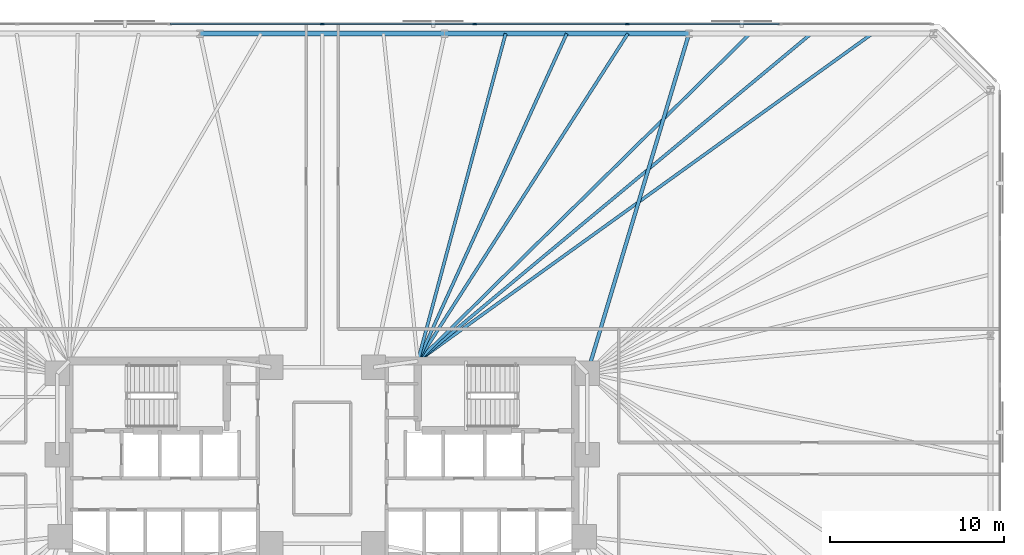
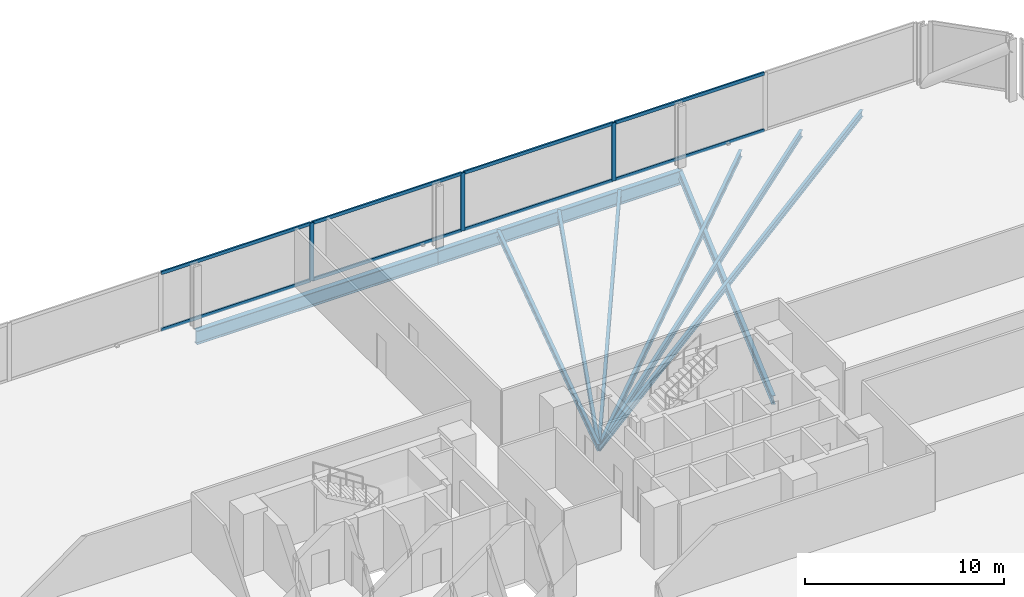
# One storey, part 9 of 16: 11 members, 9 beams, 1 element without a shape of its own.
"""IFC4 building model written with IfcOpenShell, lengths in metres."""

from ifc_helpers import new_model, si_unit, direction, frame, origin, origin_2d, place, context, subcontext, project, spatial, rectangle, i_section, extrude, material, material_profile, profile_set, type_object, element, aggregate, save


model = new_model("IFC4")

# Units and contexts
model_context = context("Model", 3, precision=1e-05, world=origin(), true_north=direction((0.0, 1.0)))
body_context = subcontext(model_context, "Body", "Model", "MODEL_VIEW")
ifc_project = project(units=[si_unit("LENGTHUNIT", "METRE"), si_unit("AREAUNIT", "SQUARE_METRE"), si_unit("VOLUMEUNIT", "CUBIC_METRE"), si_unit("PLANEANGLEUNIT", "RADIAN"), si_unit("MASSUNIT", "GRAM", prefix="KILO")], contexts=[model_context])

# Site, building, storey
site_placement = place(None, origin())
site = spatial("IfcSite", under=ifc_project, at=site_placement, CompositionType="ELEMENT")
building_placement = place(site_placement, origin())
building = spatial("IfcBuilding", under=site, at=building_placement, Name="Menara Jurai Vektor", CompositionType="ELEMENT")
storey_placement = place(building_placement, frame((0.0, 0.0, 40.800048828125)))
storey = spatial("IfcBuildingStorey", under=building, at=storey_placement, Name="L09", CompositionType="ELEMENT", Elevation=40.800048828125)

# Curtain wall, members
ifc_material_1 = material(Name="Anodised Pale Aluminium & Low-E Double Glazing", Category="aluminium")
curtain_wall_type = type_object("IfcCurtainWallType", Name="CW-BLK1", PredefinedType="NOTDEFINED", material=ifc_material_1)
curtain_wall_placement = place(storey_placement, origin())
curtain_wall = element("IfcCurtainWall", 1, at=curtain_wall_placement, inside=storey, type_object=curtain_wall_type, Name="Unitised Curtain Wall L09 F05", PredefinedType="NOTDEFINED")
ifc_material_2 = material(Name="Anodised Pale Aluminium Mullion", Category="aluminium")
ifc_material_profile_1 = material_profile(ifc_material_2, rectangle(XDim=0.094970703125, YDim=0.239990234375, at=origin_2d()), Name="ALU MUL 95x240")
ifc_profile_set_1 = profile_set([ifc_material_profile_1], Name="Anodised Pale Aluminium Mullion")
member_type_1 = type_object("IfcMemberType", Name="CW-BLK1-MUL", PredefinedType="MULLION", material=ifc_profile_set_1)
member_1_placement = place(storey_placement, frame((17.56005859375, 25.0, 0.0), z_axis=(0.0, 0.0, 1.0), x_axis=(0.0, -1.0, 0.0)))
member_1 = element("IfcMember", 2, at=member_1_placement, type_object=member_type_1, Name="CW-01 mullion 3", PredefinedType="MULLION", context=body_context, shape_type="SweptSolid", body=[
    extrude(rectangle(XDim=0.094970703125, YDim=0.239990234375, at=origin_2d()), origin(), (0.0, 0.0, 1.0), 3.574951171875),
])
member_2_placement = place(storey_placement, frame((8.780029296875, 25.0, 0.0), z_axis=(0.0, 0.0, 1.0), x_axis=(0.0, -1.0, 0.0)))
member_2 = element("IfcMember", 3, at=member_2_placement, type_object=member_type_1, Name="CW-01 mullion 4", PredefinedType="MULLION", context=body_context, shape_type="SweptSolid", body=[
    extrude(rectangle(XDim=0.094970703125, YDim=0.239990234375, at=origin_2d()), origin(), (0.0, 0.0, 1.0), 3.574951171875),
])
member_3_placement = place(storey_placement, frame((0.0, 25.0, 0.0), z_axis=(0.0, 0.0, 1.0), x_axis=(0.0, -1.0, 0.0)))
member_3 = element("IfcMember", 4, at=member_3_placement, type_object=member_type_1, Name="CW-01 mullion 5", PredefinedType="MULLION", context=body_context, shape_type="SweptSolid", body=[
    extrude(rectangle(XDim=0.094970703125, YDim=0.239990234375, at=origin_2d()), origin(), (0.0, 0.0, 1.0), 3.574951171875),
])
ifc_material_3 = material(Name="Anodised Pale Aluminium Transom", Category="aluminium")
ifc_material_profile_2 = material_profile(ifc_material_3, rectangle(XDim=0.094970703125, YDim=0.199951171875, at=origin_2d()), Name="ALU TRN 95x200")
ifc_profile_set_2 = profile_set([ifc_material_profile_2], Name="Anodised Pale Aluminium Transom")
member_type_2 = type_object("IfcMemberType", Name="CW-BLK1-TRN", PredefinedType="USERDEFINED", material=ifc_profile_set_2)
member_4_placement = place(storey_placement, frame((26.29248046875, 25.0, 0.04736328125), z_axis=(-1.0, 0.0, 0.0), x_axis=(0.0, -1.0, 0.0)))
member_4 = element("IfcMember", 5, at=member_4_placement, type_object=member_type_2, Name="CW-01 transom 2.1", ObjectType="TRANSOM", PredefinedType="USERDEFINED", context=body_context, shape_type="SweptSolid", body=[
    extrude(rectangle(XDim=0.094970703125, YDim=0.199951171875, at=origin_2d()), origin(), (0.0, 0.0, 1.0), 8.68505859375),
])
member_5_placement = place(storey_placement, frame((26.29248046875, 25.0, 3.52734375), z_axis=(-1.0, 0.0, 0.0), x_axis=(0.0, -1.0, 0.0)))
member_5 = element("IfcMember", 6, at=member_5_placement, type_object=member_type_2, Name="CW-01 transom 2.2", ObjectType="TRANSOM", PredefinedType="USERDEFINED", context=body_context, shape_type="SweptSolid", body=[
    extrude(rectangle(XDim=0.094970703125, YDim=0.199951171875, at=origin_2d()), origin(), (0.0, 0.0, 1.0), 8.68505859375),
])
member_6_placement = place(storey_placement, frame((17.512451171875, 25.0, 0.04736328125), z_axis=(-1.0, 0.0, 0.0), x_axis=(0.0, -1.0, 0.0)))
member_6 = element("IfcMember", 7, at=member_6_placement, type_object=member_type_2, Name="CW-01 transom 3.1", ObjectType="TRANSOM", PredefinedType="USERDEFINED", context=body_context, shape_type="SweptSolid", body=[
    extrude(rectangle(XDim=0.094970703125, YDim=0.199951171875, at=origin_2d()), origin(), (0.0, 0.0, 1.0), 8.68505859375),
])
member_7_placement = place(storey_placement, frame((17.512451171875, 25.0, 3.52734375), z_axis=(-1.0, 0.0, 0.0), x_axis=(0.0, -1.0, 0.0)))
member_7 = element("IfcMember", 8, at=member_7_placement, type_object=member_type_2, Name="CW-01 transom 3.2", ObjectType="TRANSOM", PredefinedType="USERDEFINED", context=body_context, shape_type="SweptSolid", body=[
    extrude(rectangle(XDim=0.094970703125, YDim=0.199951171875, at=origin_2d()), origin(), (0.0, 0.0, 1.0), 8.68505859375),
])
member_8_placement = place(storey_placement, frame((8.732421875, 25.0, 0.04736328125), z_axis=(-1.0, 0.0, 0.0), x_axis=(0.0, -1.0, 0.0)))
member_8 = element("IfcMember", 9, at=member_8_placement, type_object=member_type_2, Name="CW-01 transom 4.1", ObjectType="TRANSOM", PredefinedType="USERDEFINED", context=body_context, shape_type="SweptSolid", body=[
    extrude(rectangle(XDim=0.094970703125, YDim=0.199951171875, at=origin_2d()), origin(), (0.0, 0.0, 1.0), 8.684814453125),
])
member_9_placement = place(storey_placement, frame((8.732421875, 25.0, 3.52734375), z_axis=(-1.0, 0.0, 0.0), x_axis=(0.0, -1.0, 0.0)))
member_9 = element("IfcMember", 10, at=member_9_placement, type_object=member_type_2, Name="CW-01 transom 4.2", ObjectType="TRANSOM", PredefinedType="USERDEFINED", context=body_context, shape_type="SweptSolid", body=[
    extrude(rectangle(XDim=0.094970703125, YDim=0.199951171875, at=origin_2d()), origin(), (0.0, 0.0, 1.0), 8.684814453125),
])
member_10_placement = place(storey_placement, frame((-0.047607421875, 25.0, 0.04736328125), z_axis=(-1.0, 0.0, 0.0), x_axis=(0.0, -1.0, 0.0)))
member_10 = element("IfcMember", 11, at=member_10_placement, type_object=member_type_2, Name="CW-01 transom 5.1", ObjectType="TRANSOM", PredefinedType="USERDEFINED", context=body_context, shape_type="SweptSolid", body=[
    extrude(rectangle(XDim=0.094970703125, YDim=0.199951171875, at=origin_2d()), origin(), (0.0, 0.0, 1.0), 8.684814453125),
])
member_11_placement = place(storey_placement, frame((-0.047607421875, 25.0, 3.52734375), z_axis=(-1.0, 0.0, 0.0), x_axis=(0.0, -1.0, 0.0)))
member_11 = element("IfcMember", 12, at=member_11_placement, type_object=member_type_2, Name="CW-01 transom 5.2", ObjectType="TRANSOM", PredefinedType="USERDEFINED", context=body_context, shape_type="SweptSolid", body=[
    extrude(rectangle(XDim=0.094970703125, YDim=0.199951171875, at=origin_2d()), origin(), (0.0, 0.0, 1.0), 8.684814453125),
])
aggregate(curtain_wall, [member_1, member_2, member_3, member_4, member_5, member_6, member_7, member_8, member_9, member_10, member_11])

# Beams
ifc_material_4 = material(Name="Steel S355", Category="steel")
ifc_material_profile_3 = material_profile(ifc_material_4, i_section(OverallWidth=0.2109375, OverallDepth=0.5390625, WebThickness=0.011962890625, FlangeThickness=0.01904296875, FilletRadius=0.012939453125, at=origin_2d()), Name="UKB 533x210x109")
ifc_profile_set_3 = profile_set([ifc_material_profile_3], Name="Steel S355")
beam_type_1 = type_object("IfcBeamType", Name="STR-BM-533", PredefinedType="BEAM", material=ifc_profile_set_3)
beam_1_placement = place(storey_placement, frame((21.106689453125, 24.449951171875, -0.49462890625), z_axis=(-0.286973617166, -0.957938486047, 0.0), x_axis=(0.957938486047, -0.286973617166, 0.0)))
element("IfcBeam", 13, at=beam_1_placement, inside=storey, type_object=beam_type_1, Name="Radial Floor Girder L09-N2", PredefinedType="BEAM", context=body_context, shape_type="SweptSolid", body=[
    extrude(i_section(OverallWidth=0.2109375, OverallDepth=0.5390625, WebThickness=0.011962890625, FlangeThickness=0.01904296875, FilletRadius=0.012939453125, at=origin_2d()), origin(), (0.0, 0.0, 1.0), 20.408447265625),
])
ifc_material_profile_4 = material_profile(ifc_material_4, i_section(OverallWidth=0.178955078125, OverallDepth=0.408935546875, WebThickness=0.009033203125, FlangeThickness=0.013916015625, FilletRadius=0.010009765625, at=origin_2d()), Name="UKB 406x178x67")
ifc_profile_set_4 = profile_set([ifc_material_profile_4], Name="Steel S355")
beam_type_2 = type_object("IfcBeamType", Name="STR-JS-406", PredefinedType="JOIST", material=ifc_profile_set_4)
beam_2_placement = place(storey_placement, frame((31.659912109375, 24.449951171875, -0.429443359375), z_axis=(-0.81131785733, -0.584605280833, 0.0), x_axis=(0.584605280833, -0.81131785733, 0.0)))
element("IfcBeam", 14, at=beam_2_placement, inside=storey, type_object=beam_type_2, Name="Radial Secondary Floor Joist L09-JS16", PredefinedType="JOIST", context=body_context, shape_type="SweptSolid", body=[
    extrude(i_section(OverallWidth=0.178955078125, OverallDepth=0.408935546875, WebThickness=0.009033203125, FlangeThickness=0.013916015625, FilletRadius=0.010009765625, at=origin_2d()), origin(), (0.0, 0.0, 1.0), 32.24365234375),
])
beam_3_placement = place(storey_placement, frame((28.142333984375, 24.449951171875, -0.429443359375), z_axis=(-0.76853431665, -0.639808568347, 0.0), x_axis=(0.639808568347, -0.76853431665, 0.0)))
element("IfcBeam", 15, at=beam_3_placement, inside=storey, type_object=beam_type_2, Name="Radial Secondary Floor Joist L09-JS17", PredefinedType="JOIST", context=body_context, shape_type="SweptSolid", body=[
    extrude(i_section(OverallWidth=0.178955078125, OverallDepth=0.408935546875, WebThickness=0.009033203125, FlangeThickness=0.013916015625, FilletRadius=0.010009765625, at=origin_2d()), origin(), (0.0, 0.0, 1.0), 29.461669921875),
])
beam_4_placement = place(storey_placement, frame((24.62451171875, 24.449951171875, -0.429443359375), z_axis=(-0.712202462998, -0.70197411042, 0.0), x_axis=(0.70197411042, -0.712202462998, 0.0)))
element("IfcBeam", 16, at=beam_4_placement, inside=storey, type_object=beam_type_2, Name="Radial Secondary Floor Joist L09-JS18", PredefinedType="JOIST", context=body_context, shape_type="SweptSolid", body=[
    extrude(i_section(OverallWidth=0.178955078125, OverallDepth=0.408935546875, WebThickness=0.009033203125, FlangeThickness=0.013916015625, FilletRadius=0.010009765625, at=origin_2d()), origin(), (0.0, 0.0, 1.0), 26.8525390625),
])
beam_5_placement = place(storey_placement, frame((17.5888671875, 24.449951171875, -0.429443359375), z_axis=(-0.53984422461, -0.841764939372, 0.0), x_axis=(0.841764939372, -0.53984422461, 0.0)))
element("IfcBeam", 17, at=beam_5_placement, inside=storey, type_object=beam_type_2, Name="Radial Secondary Floor Joist L09-JS19", PredefinedType="JOIST", context=body_context, shape_type="SweptSolid", body=[
    extrude(i_section(OverallWidth=0.178955078125, OverallDepth=0.408935546875, WebThickness=0.009033203125, FlangeThickness=0.013916015625, FilletRadius=0.010009765625, at=origin_2d()), origin(), (0.0, 0.0, 1.0), 22.393310546875),
])
beam_6_placement = place(storey_placement, frame((14.071044921875, 24.449951171875, -0.429443359375), z_axis=(-0.413920197297, -0.910313171535, 0.0), x_axis=(0.910313171535, -0.413920197297, 0.0)))
element("IfcBeam", 18, at=beam_6_placement, inside=storey, type_object=beam_type_2, Name="Radial Secondary Floor Joist L09-JS20", PredefinedType="JOIST", context=body_context, shape_type="SweptSolid", body=[
    extrude(i_section(OverallWidth=0.178955078125, OverallDepth=0.408935546875, WebThickness=0.009033203125, FlangeThickness=0.013916015625, FilletRadius=0.010009765625, at=origin_2d()), origin(), (0.0, 0.0, 1.0), 20.70703125),
])
beam_7_placement = place(storey_placement, frame((10.55322265625, 24.449951171875, -0.429443359375), z_axis=(-0.258934723238, -0.965894823002, 0.0), x_axis=(0.965894823002, -0.258934723238, 0.0)))
element("IfcBeam", 19, at=beam_7_placement, inside=storey, type_object=beam_type_2, Name="Radial Secondary Floor Joist L09-JS21", PredefinedType="JOIST", context=body_context, shape_type="SweptSolid", body=[
    extrude(i_section(OverallWidth=0.178955078125, OverallDepth=0.408935546875, WebThickness=0.009033203125, FlangeThickness=0.013916015625, FilletRadius=0.010009765625, at=origin_2d()), origin(), (0.0, 0.0, 1.0), 19.515380859375),
])
ifc_material_5 = material(Name="Steel S460", Category="steel")
ifc_material_profile_5 = material_profile(ifc_material_5, i_section(OverallWidth=0.2939453125, OverallDepth=0.85107421875, WebThickness=0.01611328125, FlangeThickness=0.027099609375, FilletRadius=0.01806640625, at=origin_2d()), Name="UKB 838x292x226")
ifc_profile_set_5 = profile_set([ifc_material_profile_5], Name="Steel S460")
beam_type_3 = type_object("IfcBeamType", Name="STR-SP-838", PredefinedType="SPANDREL", material=ifc_profile_set_5)
beam_8_placement = place(storey_placement, frame((21.106689453125, 24.449951171875, -0.650634765625), z_axis=(-1.0, 0.0, 0.0), x_axis=(0.0, -1.0, 0.0)))
element("IfcBeam", 20, at=beam_8_placement, inside=storey, type_object=beam_type_3, Name="Exoskeleton Spandrel Beam L09-12", PredefinedType="SPANDREL", context=body_context, shape_type="SweptSolid", body=[
    extrude(i_section(OverallWidth=0.2939453125, OverallDepth=0.85107421875, WebThickness=0.01611328125, FlangeThickness=0.027099609375, FilletRadius=0.01806640625, at=origin_2d()), origin(), (0.0, 0.0, 1.0), 14.071044921875),
])
beam_9_placement = place(storey_placement, frame((7.03564453125, 24.449951171875, -0.650634765625), z_axis=(-1.0, 0.0, 0.0), x_axis=(0.0, -1.0, 0.0)))
element("IfcBeam", 21, at=beam_9_placement, inside=storey, type_object=beam_type_3, Name="Exoskeleton Spandrel Beam L09-13", PredefinedType="SPANDREL", context=body_context, shape_type="SweptSolid", body=[
    extrude(i_section(OverallWidth=0.2939453125, OverallDepth=0.85107421875, WebThickness=0.01611328125, FlangeThickness=0.027099609375, FilletRadius=0.01806640625, at=origin_2d()), origin(), (0.0, 0.0, 1.0), 14.0712890625),
])

save(model, "model.ifc")
